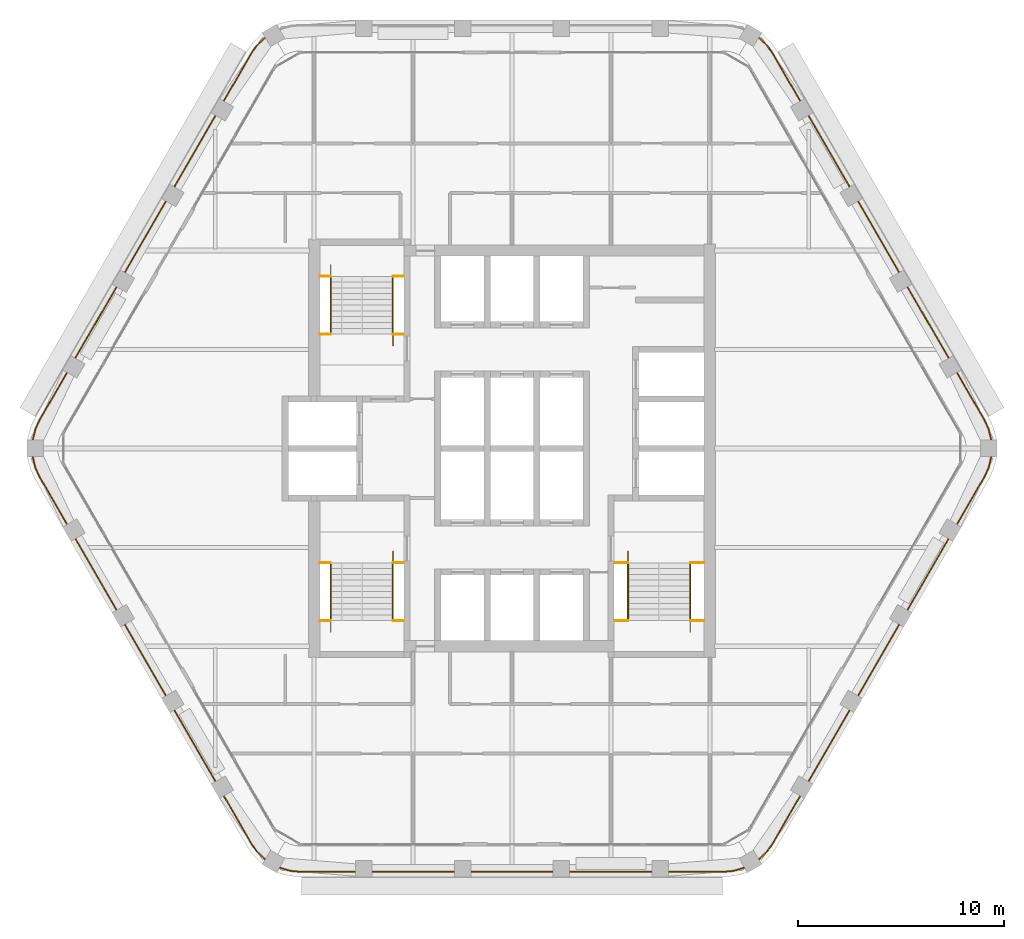
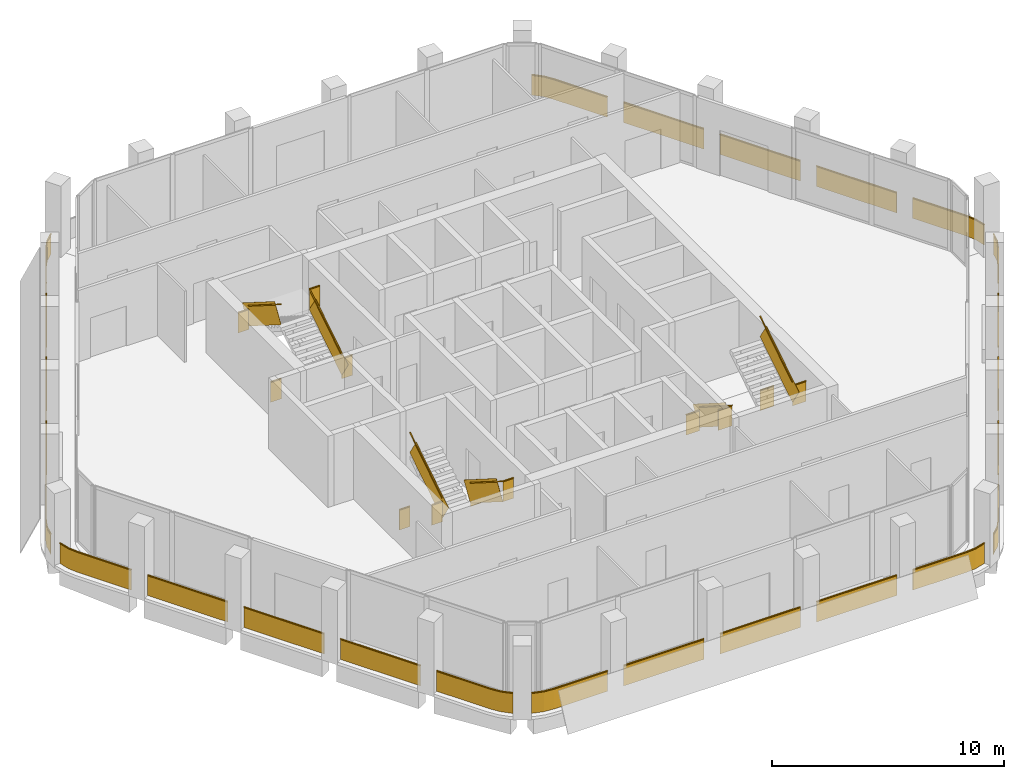
# One storey, part 13 of 14: 11 railings.
"""IFC4 building model written with IfcOpenShell, lengths in metres."""

from ifc_helpers import new_model, si_unit, direction, frame, frame_2d, origin, origin_2d, place, context, subcontext, project, spatial, rectangle, extrude, material, type_object, element, save


model = new_model("IFC4")

# Units and contexts
model_context = context("Model", 3, precision=1e-05, world=origin(), true_north=direction((0.0, 1.0)))
body_context = subcontext(model_context, "Body", "Model", "MODEL_VIEW")
ifc_project = project(units=[si_unit("LENGTHUNIT", "METRE"), si_unit("AREAUNIT", "SQUARE_METRE"), si_unit("VOLUMEUNIT", "CUBIC_METRE"), si_unit("PLANEANGLEUNIT", "RADIAN"), si_unit("MASSUNIT", "GRAM", prefix="KILO")], contexts=[model_context])

# Site, building, storey
site_placement = place(None, origin())
site = spatial("IfcSite", under=ifc_project, at=site_placement, CompositionType="ELEMENT")
building_placement = place(site_placement, origin())
building = spatial("IfcBuilding", under=site, at=building_placement, Name="Kolab Exchange Tower", CompositionType="ELEMENT")
storey_placement = place(building_placement, frame((0.0, 0.0, 242.300048828125)))
storey = spatial("IfcBuildingStorey", under=building, at=storey_placement, Name="L53", CompositionType="ELEMENT", Elevation=242.300048828125)

# Railings
ifc_material_1 = material(Name="Stainless steel 316", Category="steel")
railing_type_1 = type_object("IfcRailingType", Name="GUARD 1100", PredefinedType="GUARDRAIL", material=ifc_material_1)
railing_1_placement = place(storey_placement, frame((-9.324951171875, 5.550048828125, 0.0)))
element("IfcRailing", 1, at=railing_1_placement, inside=storey, type_object=railing_type_1, Name="Guard ST1", PredefinedType="GUARDRAIL", context=body_context, shape_type="SweptSolid", body=[
    extrude(rectangle(XDim=0.05, YDim=0.05, at=origin_2d()), frame((0.0, 0.0, 1.0751953125), z_axis=(1.0, 0.0, 0.0), x_axis=(0.0, 1.0, 0.0)), (0.0, 0.0, 1.0), 0.52734375),
    extrude(rectangle(XDim=0.012, YDim=1.05009765625, at=frame_2d((0.0, 0.525146484375))), frame((0.0, 0.0, 0.0), z_axis=(1.0, 0.0, 0.0), x_axis=(0.0, 1.0, 0.0)), (0.0, 0.0, 1.0), 0.52734375),
    extrude(rectangle(XDim=0.05, YDim=0.05, at=origin_2d()), frame((3.54736328125, 0.0, 1.0751953125), z_axis=(1.0, 0.0, 0.0), x_axis=(0.0, 1.0, 0.0)), (0.0, 0.0, 1.0), 0.527587890625),
    extrude(rectangle(XDim=0.012, YDim=1.05009765625, at=frame_2d((0.0, 0.525146484375))), frame((3.54736328125, 0.0, 0.0), z_axis=(1.0, 0.0, 0.0), x_axis=(0.0, 1.0, 0.0)), (0.0, 0.0, 1.0), 0.527587890625),
    extrude(rectangle(XDim=0.05, YDim=0.05, at=origin_2d()), frame((0.0, 2.800048828125, 3.025146484375), z_axis=(1.0, 0.0, 0.0), x_axis=(0.0, 1.0, 0.0)), (0.0, 0.0, 1.0), 0.52734375),
    extrude(rectangle(XDim=0.012, YDim=1.05009765625, at=frame_2d((0.0, 0.525146484375))), frame((0.0, 2.800048828125, 1.949951171875), z_axis=(1.0, 0.0, 0.0), x_axis=(0.0, 1.0, 0.0)), (0.0, 0.0, 1.0), 0.52734375),
    extrude(rectangle(XDim=0.05, YDim=0.05, at=origin_2d()), frame((3.54736328125, 2.800048828125, 3.025146484375), z_axis=(1.0, 0.0, 0.0), x_axis=(0.0, 1.0, 0.0)), (0.0, 0.0, 1.0), 0.527587890625),
    extrude(rectangle(XDim=0.012, YDim=1.05009765625, at=frame_2d((0.0, 0.525146484375))), frame((3.54736328125, 2.800048828125, 1.949951171875), z_axis=(1.0, 0.0, 0.0), x_axis=(0.0, 1.0, 0.0)), (0.0, 0.0, 1.0), 0.527587890625),
])
railing_2_placement = place(storey_placement, frame((-5.777587890625, 5.550048828125, 0.17724609375)))
element("IfcRailing", 2, at=railing_2_placement, inside=storey, type_object=railing_type_1, Name="Handrail guard ST1", PredefinedType="GUARDRAIL", context=body_context, shape_type="SweptSolid", body=[
    extrude(rectangle(XDim=0.05, YDim=0.05, at=origin_2d()), frame((0.0, 0.0, 1.0751953125), z_axis=(0.0, 0.844908973607, 0.534910110503), x_axis=(-1.0, 0.0, 0.0)), (0.0, 0.0, 1.0), 3.31396484375),
    extrude(rectangle(XDim=0.012, YDim=1.05009765625, at=frame_2d((0.0, 0.525146484375))), frame((0.0, 0.0, 0.0), z_axis=(0.0, 0.844908973607, 0.534910110503), x_axis=(-1.0, 0.0, 0.0)), (0.0, 0.0, 1.0), 3.31396484375),
    extrude(rectangle(XDim=0.05, YDim=0.05, at=origin_2d()), frame((-3.02001953125, 2.800048828125, 3.025146484375), z_axis=(0.0, -0.844908973607, 0.534910110503), x_axis=(1.0, 0.0, 0.0)), (0.0, 0.0, 1.0), 3.31396484375),
    extrude(rectangle(XDim=0.012, YDim=1.05009765625, at=frame_2d((0.0, 0.525146484375))), frame((-3.02001953125, 2.800048828125, 1.949951171875), z_axis=(0.0, -0.844908973607, 0.534910110503), x_axis=(1.0, 0.0, 0.0)), (0.0, 0.0, 1.0), 3.31396484375),
])
railing_3_placement = place(storey_placement, frame((-9.324951171875, -5.550048828125, 0.0)))
element("IfcRailing", 3, at=railing_3_placement, inside=storey, type_object=railing_type_1, Name="Guard ST3", PredefinedType="GUARDRAIL", context=body_context, shape_type="SweptSolid", body=[
    extrude(rectangle(XDim=0.05, YDim=0.05, at=origin_2d()), frame((0.0, 0.0, 1.0751953125), z_axis=(1.0, 0.0, 0.0), x_axis=(0.0, 1.0, 0.0)), (0.0, 0.0, 1.0), 0.52734375),
    extrude(rectangle(XDim=0.012, YDim=1.05009765625, at=frame_2d((0.0, 0.525146484375))), frame((0.0, 0.0, 0.0), z_axis=(1.0, 0.0, 0.0), x_axis=(0.0, 1.0, 0.0)), (0.0, 0.0, 1.0), 0.52734375),
    extrude(rectangle(XDim=0.05, YDim=0.05, at=origin_2d()), frame((3.54736328125, 0.0, 1.0751953125), z_axis=(1.0, 0.0, 0.0), x_axis=(0.0, 1.0, 0.0)), (0.0, 0.0, 1.0), 0.527587890625),
    extrude(rectangle(XDim=0.012, YDim=1.05009765625, at=frame_2d((0.0, 0.525146484375))), frame((3.54736328125, 0.0, 0.0), z_axis=(1.0, 0.0, 0.0), x_axis=(0.0, 1.0, 0.0)), (0.0, 0.0, 1.0), 0.527587890625),
    extrude(rectangle(XDim=0.05, YDim=0.05, at=origin_2d()), frame((0.0, -2.800048828125, 3.025146484375), z_axis=(1.0, 0.0, 0.0), x_axis=(0.0, 1.0, 0.0)), (0.0, 0.0, 1.0), 0.52734375),
    extrude(rectangle(XDim=0.012, YDim=1.05009765625, at=frame_2d((0.0, 0.525146484375))), frame((0.0, -2.800048828125, 1.949951171875), z_axis=(1.0, 0.0, 0.0), x_axis=(0.0, 1.0, 0.0)), (0.0, 0.0, 1.0), 0.52734375),
    extrude(rectangle(XDim=0.05, YDim=0.05, at=origin_2d()), frame((3.54736328125, -2.800048828125, 3.025146484375), z_axis=(1.0, 0.0, 0.0), x_axis=(0.0, 1.0, 0.0)), (0.0, 0.0, 1.0), 0.527587890625),
    extrude(rectangle(XDim=0.012, YDim=1.05009765625, at=frame_2d((0.0, 0.525146484375))), frame((3.54736328125, -2.800048828125, 1.949951171875), z_axis=(1.0, 0.0, 0.0), x_axis=(0.0, 1.0, 0.0)), (0.0, 0.0, 1.0), 0.527587890625),
])
railing_4_placement = place(storey_placement, frame((-5.777587890625, -5.550048828125, 0.17724609375)))
element("IfcRailing", 4, at=railing_4_placement, inside=storey, type_object=railing_type_1, Name="Handrail guard ST3", PredefinedType="GUARDRAIL", context=body_context, shape_type="SweptSolid", body=[
    extrude(rectangle(XDim=0.05, YDim=0.05, at=origin_2d()), frame((0.0, 0.0, 1.0751953125), z_axis=(0.0, -0.844908973607, 0.534910110503), x_axis=(1.0, 0.0, 0.0)), (0.0, 0.0, 1.0), 3.31396484375),
    extrude(rectangle(XDim=0.012, YDim=1.05009765625, at=frame_2d((0.0, 0.525146484375))), frame((0.0, 0.0, 0.0), z_axis=(0.0, -0.844908973607, 0.534910110503), x_axis=(1.0, 0.0, 0.0)), (0.0, 0.0, 1.0), 3.31396484375),
    extrude(rectangle(XDim=0.05, YDim=0.05, at=origin_2d()), frame((-3.02001953125, -2.800048828125, 3.025146484375), z_axis=(0.0, 0.844908973607, 0.534910110503), x_axis=(-1.0, 0.0, 0.0)), (0.0, 0.0, 1.0), 3.31396484375),
    extrude(rectangle(XDim=0.012, YDim=1.05009765625, at=frame_2d((0.0, 0.525146484375))), frame((-3.02001953125, -2.800048828125, 1.949951171875), z_axis=(0.0, 0.844908973607, 0.534910110503), x_axis=(-1.0, 0.0, 0.0)), (0.0, 0.0, 1.0), 3.31396484375),
])
railing_5_placement = place(storey_placement, frame((4.949951171875, -5.550048828125, 0.0)))
element("IfcRailing", 5, at=railing_5_placement, inside=storey, type_object=railing_type_1, Name="Guard ST2", PredefinedType="GUARDRAIL", context=body_context, shape_type="SweptSolid", body=[
    extrude(rectangle(XDim=0.05, YDim=0.05, at=origin_2d()), frame((0.0, 0.0, 1.0751953125), z_axis=(1.0, 0.0, 0.0), x_axis=(0.0, 1.0, 0.0)), (0.0, 0.0, 1.0), 0.677490234375),
    extrude(rectangle(XDim=0.012, YDim=1.05009765625, at=frame_2d((0.0, 0.525146484375))), frame((0.0, 0.0, 0.0), z_axis=(1.0, 0.0, 0.0), x_axis=(0.0, 1.0, 0.0)), (0.0, 0.0, 1.0), 0.677490234375),
    extrude(rectangle(XDim=0.05, YDim=0.05, at=origin_2d()), frame((3.697509765625, 0.0, 1.0751953125), z_axis=(1.0, 0.0, 0.0), x_axis=(0.0, 1.0, 0.0)), (0.0, 0.0, 1.0), 0.677490234375),
    extrude(rectangle(XDim=0.012, YDim=1.05009765625, at=frame_2d((0.0, 0.525146484375))), frame((3.697509765625, 0.0, 0.0), z_axis=(1.0, 0.0, 0.0), x_axis=(0.0, 1.0, 0.0)), (0.0, 0.0, 1.0), 0.677490234375),
    extrude(rectangle(XDim=0.05, YDim=0.05, at=origin_2d()), frame((0.0, -2.800048828125, 3.025146484375), z_axis=(1.0, 0.0, 0.0), x_axis=(0.0, 1.0, 0.0)), (0.0, 0.0, 1.0), 0.677490234375),
    extrude(rectangle(XDim=0.012, YDim=1.05009765625, at=frame_2d((0.0, 0.525146484375))), frame((0.0, -2.800048828125, 1.949951171875), z_axis=(1.0, 0.0, 0.0), x_axis=(0.0, 1.0, 0.0)), (0.0, 0.0, 1.0), 0.677490234375),
    extrude(rectangle(XDim=0.05, YDim=0.05, at=origin_2d()), frame((3.697509765625, -2.800048828125, 3.025146484375), z_axis=(1.0, 0.0, 0.0), x_axis=(0.0, 1.0, 0.0)), (0.0, 0.0, 1.0), 0.677490234375),
    extrude(rectangle(XDim=0.012, YDim=1.05009765625, at=frame_2d((0.0, 0.525146484375))), frame((3.697509765625, -2.800048828125, 1.949951171875), z_axis=(1.0, 0.0, 0.0), x_axis=(0.0, 1.0, 0.0)), (0.0, 0.0, 1.0), 0.677490234375),
])
railing_6_placement = place(storey_placement, frame((5.62744140625, -5.550048828125, 0.17724609375)))
element("IfcRailing", 6, at=railing_6_placement, inside=storey, type_object=railing_type_1, Name="Handrail guard ST2", PredefinedType="GUARDRAIL", context=body_context, shape_type="SweptSolid", body=[
    extrude(rectangle(XDim=0.05, YDim=0.05, at=origin_2d()), frame((0.0, 0.0, 1.0751953125), z_axis=(0.0, -0.844908973607, 0.534910110503), x_axis=(1.0, 0.0, 0.0)), (0.0, 0.0, 1.0), 3.31396484375),
    extrude(rectangle(XDim=0.012, YDim=1.05009765625, at=frame_2d((0.0, 0.525146484375))), frame((0.0, 0.0, 0.0), z_axis=(0.0, -0.844908973607, 0.534910110503), x_axis=(1.0, 0.0, 0.0)), (0.0, 0.0, 1.0), 3.31396484375),
    extrude(rectangle(XDim=0.05, YDim=0.05, at=origin_2d()), frame((3.02001953125, -2.800048828125, 3.025146484375), z_axis=(0.0, 0.844908973607, 0.534910110503), x_axis=(-1.0, 0.0, 0.0)), (0.0, 0.0, 1.0), 3.31396484375),
    extrude(rectangle(XDim=0.012, YDim=1.05009765625, at=frame_2d((0.0, 0.525146484375))), frame((3.02001953125, -2.800048828125, 1.949951171875), z_axis=(0.0, 0.844908973607, 0.534910110503), x_axis=(-1.0, 0.0, 0.0)), (0.0, 0.0, 1.0), 3.31396484375),
])
ifc_material_2 = material(Name="Steel S235", Category="steel")
railing_type_2 = type_object("IfcRailingType", Name="GUARD 1100 GLASS BALUSTRADE AND STEEL TOP RAIL", PredefinedType="GUARDRAIL", material=ifc_material_2)
railing_7_placement = place(storey_placement, frame((23.2509765625, 0.3984375, 0.0)))
element("IfcRailing", 7, at=railing_7_placement, inside=storey, type_object=railing_type_2, Name="Guard", PredefinedType="GUARDRAIL", context=body_context, shape_type="SweptSolid", body=[
    extrude(rectangle(XDim=0.05, YDim=0.05, at=origin_2d()), frame((0.0, 0.0, 1.0751953125), z_axis=(-0.234597748196, 0.972092534968, 0.0), x_axis=(-0.972092534968, -0.234597748196, 0.0)), (0.0, 0.0, 1.0), 0.557861328125),
    extrude(rectangle(XDim=0.012, YDim=1.05009765625, at=frame_2d((0.0, 0.525146484375))), frame((0.0, 0.0, 0.0), z_axis=(-0.234597748196, 0.972092534968, 0.0), x_axis=(-0.972092534968, -0.234597748196, 0.0)), (0.0, 0.0, 1.0), 0.557861328125),
    extrude(rectangle(XDim=0.05, YDim=0.05, at=origin_2d()), frame((-0.130859375, 0.542236328125, 1.0751953125), z_axis=(-0.422801802984, 0.906222177721, 0.0), x_axis=(-0.906222177721, -0.422801802984, 0.0)), (0.0, 0.0, 1.0), 0.479248046875),
    extrude(rectangle(XDim=0.012, YDim=1.05009765625, at=frame_2d((0.0, 0.525146484375))), frame((-0.130859375, 0.542236328125, 0.0), z_axis=(-0.422801802984, 0.906222177721, 0.0), x_axis=(-0.906222177721, -0.422801802984, 0.0)), (0.0, 0.0, 1.0), 0.479248046875),
    extrude(rectangle(XDim=0.05, YDim=0.05, at=origin_2d()), frame((-0.33349609375, 0.9765625, 1.0751953125), z_axis=(-0.499997052475, 0.866027105532, 0.0), x_axis=(-0.866027105532, -0.499997052475, 0.0)), (0.0, 0.0, 1.0), 2.66796875),
    extrude(rectangle(XDim=0.012, YDim=1.05009765625, at=frame_2d((0.0, 0.525146484375))), frame((-0.33349609375, 0.9765625, 0.0), z_axis=(-0.499997052475, 0.866027105532, 0.0), x_axis=(-0.866027105532, -0.499997052475, 0.0)), (0.0, 0.0, 1.0), 2.66796875),
    extrude(rectangle(XDim=0.05, YDim=0.05, at=origin_2d()), frame((-2.0673828125, 3.97998046875, 1.0751953125), z_axis=(-0.49999894854, 0.866026010844, 0.0), x_axis=(-0.866026010844, -0.49999894854, 0.0)), (0.0, 0.0, 1.0), 4.0),
    extrude(rectangle(XDim=0.012, YDim=1.05009765625, at=frame_2d((0.0, 0.525146484375))), frame((-2.0673828125, 3.97998046875, 0.0), z_axis=(-0.49999894854, 0.866026010844, 0.0), x_axis=(-0.866026010844, -0.49999894854, 0.0)), (0.0, 0.0, 1.0), 4.0),
    extrude(rectangle(XDim=0.05, YDim=0.05, at=origin_2d()), frame((-4.467529296875, 8.13671875, 1.0751953125), z_axis=(-0.49999894854, 0.866026010844, 0.0), x_axis=(-0.866026010844, -0.49999894854, 0.0)), (0.0, 0.0, 1.0), 4.0),
    extrude(rectangle(XDim=0.012, YDim=1.05009765625, at=frame_2d((0.0, 0.525146484375))), frame((-4.467529296875, 8.13671875, 0.0), z_axis=(-0.49999894854, 0.866026010844, 0.0), x_axis=(-0.866026010844, -0.49999894854, 0.0)), (0.0, 0.0, 1.0), 4.0),
    extrude(rectangle(XDim=0.05, YDim=0.05, at=origin_2d()), frame((-6.867431640625, 12.293701171875, 1.0751953125), z_axis=(-0.49999894854, 0.866026010844, 0.0), x_axis=(-0.866026010844, -0.49999894854, 0.0)), (0.0, 0.0, 1.0), 4.0),
    extrude(rectangle(XDim=0.012, YDim=1.05009765625, at=frame_2d((0.0, 0.525146484375))), frame((-6.867431640625, 12.293701171875, 0.0), z_axis=(-0.49999894854, 0.866026010844, 0.0), x_axis=(-0.866026010844, -0.49999894854, 0.0)), (0.0, 0.0, 1.0), 4.0),
    extrude(rectangle(XDim=0.05, YDim=0.05, at=origin_2d()), frame((-9.267578125, 16.45068359375, 1.0751953125), z_axis=(-0.499997052475, 0.866027105532, 0.0), x_axis=(-0.866027105532, -0.499997052475, 0.0)), (0.0, 0.0, 1.0), 2.66796875),
    extrude(rectangle(XDim=0.012, YDim=1.05009765625, at=frame_2d((0.0, 0.525146484375))), frame((-9.267578125, 16.45068359375, 0.0), z_axis=(-0.499997052475, 0.866027105532, 0.0), x_axis=(-0.866027105532, -0.499997052475, 0.0)), (0.0, 0.0, 1.0), 2.66796875),
    extrude(rectangle(XDim=0.05, YDim=0.05, at=origin_2d()), frame((-10.6015625, 18.76123046875, 1.0751953125), z_axis=(-0.573599091554, 0.819136180478, 0.0), x_axis=(-0.819136180478, -0.573599091554, 0.0)), (0.0, 0.0, 1.0), 0.479248046875),
    extrude(rectangle(XDim=0.012, YDim=1.05009765625, at=frame_2d((0.0, 0.525146484375))), frame((-10.6015625, 18.76123046875, 0.0), z_axis=(-0.573599091554, 0.819136180478, 0.0), x_axis=(-0.819136180478, -0.573599091554, 0.0)), (0.0, 0.0, 1.0), 0.479248046875),
    extrude(rectangle(XDim=0.05, YDim=0.05, at=origin_2d()), frame((-10.87646484375, 19.15380859375, 1.0751953125), z_axis=(-0.724189990991, 0.689600505327, 0.0), x_axis=(-0.689600505327, -0.724189990991, 0.0)), (0.0, 0.0, 1.0), 0.5576171875),
    extrude(rectangle(XDim=0.012, YDim=1.05009765625, at=frame_2d((0.0, 0.525146484375))), frame((-10.87646484375, 19.15380859375, 0.0), z_axis=(-0.724189990991, 0.689600505327, 0.0), x_axis=(-0.689600505327, -0.724189990991, 0.0)), (0.0, 0.0, 1.0), 0.5576171875),
])
railing_8_placement = place(storey_placement, frame((11.970703125, -19.936767578125, 0.0)))
element("IfcRailing", 8, at=railing_8_placement, inside=storey, type_object=railing_type_2, Name="Guard", PredefinedType="GUARDRAIL", context=body_context, shape_type="SweptSolid", body=[
    extrude(rectangle(XDim=0.05, YDim=0.05, at=origin_2d()), frame((0.0, 0.0, 1.0751953125), z_axis=(0.724189990991, 0.689600505327, 0.0), x_axis=(-0.689600505327, 0.724189990991, 0.0)), (0.0, 0.0, 1.0), 0.5576171875),
    extrude(rectangle(XDim=0.012, YDim=1.05009765625, at=frame_2d((0.0, 0.525146484375))), frame((0.0, 0.0, 0.0), z_axis=(0.724189990991, 0.689600505327, 0.0), x_axis=(-0.689600505327, 0.724189990991, 0.0)), (0.0, 0.0, 1.0), 0.5576171875),
    extrude(rectangle(XDim=0.05, YDim=0.05, at=origin_2d()), frame((0.40380859375, 0.384521484375, 1.0751953125), z_axis=(0.573599091554, 0.819136180478, 0.0), x_axis=(-0.819136180478, 0.573599091554, 0.0)), (0.0, 0.0, 1.0), 0.479248046875),
    extrude(rectangle(XDim=0.012, YDim=1.05009765625, at=frame_2d((0.0, 0.525146484375))), frame((0.40380859375, 0.384521484375, 0.0), z_axis=(0.573599091554, 0.819136180478, 0.0), x_axis=(-0.819136180478, 0.573599091554, 0.0)), (0.0, 0.0, 1.0), 0.479248046875),
    extrude(rectangle(XDim=0.05, YDim=0.05, at=origin_2d()), frame((0.6787109375, 0.777099609375, 1.0751953125), z_axis=(0.499997052475, 0.866027105532, 0.0), x_axis=(-0.866027105532, 0.499997052475, 0.0)), (0.0, 0.0, 1.0), 2.66796875),
    extrude(rectangle(XDim=0.012, YDim=1.05009765625, at=frame_2d((0.0, 0.525146484375))), frame((0.6787109375, 0.777099609375, 0.0), z_axis=(0.499997052475, 0.866027105532, 0.0), x_axis=(-0.866027105532, 0.499997052475, 0.0)), (0.0, 0.0, 1.0), 2.66796875),
    extrude(rectangle(XDim=0.05, YDim=0.05, at=origin_2d()), frame((2.412841796875, 3.780517578125, 1.0751953125), z_axis=(0.49999894854, 0.866026010844, 0.0), x_axis=(-0.866026010844, 0.49999894854, 0.0)), (0.0, 0.0, 1.0), 4.0),
    extrude(rectangle(XDim=0.012, YDim=1.05009765625, at=frame_2d((0.0, 0.525146484375))), frame((2.412841796875, 3.780517578125, 0.0), z_axis=(0.49999894854, 0.866026010844, 0.0), x_axis=(-0.866026010844, 0.49999894854, 0.0)), (0.0, 0.0, 1.0), 4.0),
    extrude(rectangle(XDim=0.05, YDim=0.05, at=origin_2d()), frame((4.812744140625, 7.9375, 1.0751953125), z_axis=(0.49999894854, 0.866026010844, 0.0), x_axis=(-0.866026010844, 0.49999894854, 0.0)), (0.0, 0.0, 1.0), 4.0),
    extrude(rectangle(XDim=0.012, YDim=1.05009765625, at=frame_2d((0.0, 0.525146484375))), frame((4.812744140625, 7.9375, 0.0), z_axis=(0.49999894854, 0.866026010844, 0.0), x_axis=(-0.866026010844, 0.49999894854, 0.0)), (0.0, 0.0, 1.0), 4.0),
    extrude(rectangle(XDim=0.05, YDim=0.05, at=origin_2d()), frame((7.212890625, 12.09423828125, 1.0751953125), z_axis=(0.49999894854, 0.866026010844, 0.0), x_axis=(-0.866026010844, 0.49999894854, 0.0)), (0.0, 0.0, 1.0), 4.0),
    extrude(rectangle(XDim=0.012, YDim=1.05009765625, at=frame_2d((0.0, 0.525146484375))), frame((7.212890625, 12.09423828125, 0.0), z_axis=(0.49999894854, 0.866026010844, 0.0), x_axis=(-0.866026010844, 0.49999894854, 0.0)), (0.0, 0.0, 1.0), 4.0),
    extrude(rectangle(XDim=0.05, YDim=0.05, at=origin_2d()), frame((9.61279296875, 16.251220703125, 1.0751953125), z_axis=(0.499997052475, 0.866027105532, 0.0), x_axis=(-0.866027105532, 0.499997052475, 0.0)), (0.0, 0.0, 1.0), 2.66796875),
    extrude(rectangle(XDim=0.012, YDim=1.05009765625, at=frame_2d((0.0, 0.525146484375))), frame((9.61279296875, 16.251220703125, 0.0), z_axis=(0.499997052475, 0.866027105532, 0.0), x_axis=(-0.866027105532, 0.499997052475, 0.0)), (0.0, 0.0, 1.0), 2.66796875),
    extrude(rectangle(XDim=0.05, YDim=0.05, at=origin_2d()), frame((10.94677734375, 18.561767578125, 1.0751953125), z_axis=(0.422801802984, 0.906222177721, 0.0), x_axis=(-0.906222177721, 0.422801802984, 0.0)), (0.0, 0.0, 1.0), 0.479248046875),
    extrude(rectangle(XDim=0.012, YDim=1.05009765625, at=frame_2d((0.0, 0.525146484375))), frame((10.94677734375, 18.561767578125, 0.0), z_axis=(0.422801802984, 0.906222177721, 0.0), x_axis=(-0.906222177721, 0.422801802984, 0.0)), (0.0, 0.0, 1.0), 0.479248046875),
    extrude(rectangle(XDim=0.05, YDim=0.05, at=origin_2d()), frame((11.1494140625, 18.99609375, 1.0751953125), z_axis=(0.234597748196, 0.972092534968, 0.0), x_axis=(-0.972092534968, 0.234597748196, 0.0)), (0.0, 0.0, 1.0), 0.557861328125),
    extrude(rectangle(XDim=0.012, YDim=1.05009765625, at=frame_2d((0.0, 0.525146484375))), frame((11.1494140625, 18.99609375, 0.0), z_axis=(0.234597748196, 0.972092534968, 0.0), x_axis=(-0.972092534968, 0.234597748196, 0.0)), (0.0, 0.0, 1.0), 0.557861328125),
])
railing_9_placement = place(storey_placement, frame((-11.280517578125, -20.335205078125, 0.0)))
element("IfcRailing", 9, at=railing_9_placement, inside=storey, type_object=railing_type_2, Name="Guard", PredefinedType="GUARDRAIL", context=body_context, shape_type="SweptSolid", body=[
    extrude(rectangle(XDim=0.05, YDim=0.05, at=origin_2d()), frame((0.0, 0.0, 1.0751953125), z_axis=(0.959212061764, -0.282687496304, 0.0), x_axis=(0.282687496304, 0.959212061764, 0.0)), (0.0, 0.0, 1.0), 0.557861328125),
    extrude(rectangle(XDim=0.012, YDim=1.05009765625, at=frame_2d((0.0, 0.525146484375))), frame((0.0, 0.0, 0.0), z_axis=(0.959212061764, -0.282687496304, 0.0), x_axis=(0.282687496304, 0.959212061764, 0.0)), (0.0, 0.0, 1.0), 0.557861328125),
    extrude(rectangle(XDim=0.05, YDim=0.05, at=origin_2d()), frame((0.53515625, -0.15771484375, 1.0751953125), z_axis=(0.996196482496, -0.087135344505, 0.0), x_axis=(0.087135344505, 0.996196482496, 0.0)), (0.0, 0.0, 1.0), 0.47900390625),
    extrude(rectangle(XDim=0.012, YDim=1.05009765625, at=frame_2d((0.0, 0.525146484375))), frame((0.53515625, -0.15771484375, 0.0), z_axis=(0.996196482496, -0.087135344505, 0.0), x_axis=(0.087135344505, 0.996196482496, 0.0)), (0.0, 0.0, 1.0), 0.47900390625),
    extrude(rectangle(XDim=0.05, YDim=0.05, at=origin_2d()), frame((1.012451171875, -0.199462890625, 1.0751953125), z_axis=(1.0, 0.0, 0.0), x_axis=(0.0, 1.0, 0.0)), (0.0, 0.0, 1.0), 2.66796875),
    extrude(rectangle(XDim=0.012, YDim=1.05009765625, at=frame_2d((0.0, 0.525146484375))), frame((1.012451171875, -0.199462890625, 0.0), z_axis=(1.0, 0.0, 0.0), x_axis=(0.0, 1.0, 0.0)), (0.0, 0.0, 1.0), 2.66796875),
    extrude(rectangle(XDim=0.05, YDim=0.05, at=origin_2d()), frame((4.48046875, -0.199462890625, 1.0751953125), z_axis=(1.0, 0.0, 0.0), x_axis=(0.0, 1.0, 0.0)), (0.0, 0.0, 1.0), 4.0),
    extrude(rectangle(XDim=0.012, YDim=1.05009765625, at=frame_2d((0.0, 0.525146484375))), frame((4.48046875, -0.199462890625, 0.0), z_axis=(1.0, 0.0, 0.0), x_axis=(0.0, 1.0, 0.0)), (0.0, 0.0, 1.0), 4.0),
    extrude(rectangle(XDim=0.05, YDim=0.05, at=origin_2d()), frame((9.280517578125, -0.199462890625, 1.0751953125), z_axis=(1.0, 0.0, 0.0), x_axis=(0.0, 1.0, 0.0)), (0.0, 0.0, 1.0), 4.0),
    extrude(rectangle(XDim=0.012, YDim=1.05009765625, at=frame_2d((0.0, 0.525146484375))), frame((9.280517578125, -0.199462890625, 0.0), z_axis=(1.0, 0.0, 0.0), x_axis=(0.0, 1.0, 0.0)), (0.0, 0.0, 1.0), 4.0),
    extrude(rectangle(XDim=0.05, YDim=0.05, at=origin_2d()), frame((14.08056640625, -0.199462890625, 1.0751953125), z_axis=(1.0, 0.0, 0.0), x_axis=(0.0, 1.0, 0.0)), (0.0, 0.0, 1.0), 4.0),
    extrude(rectangle(XDim=0.012, YDim=1.05009765625, at=frame_2d((0.0, 0.525146484375))), frame((14.08056640625, -0.199462890625, 0.0), z_axis=(1.0, 0.0, 0.0), x_axis=(0.0, 1.0, 0.0)), (0.0, 0.0, 1.0), 4.0),
    extrude(rectangle(XDim=0.05, YDim=0.05, at=origin_2d()), frame((18.880615234375, -0.199462890625, 1.0751953125), z_axis=(1.0, 0.0, 0.0), x_axis=(0.0, 1.0, 0.0)), (0.0, 0.0, 1.0), 2.66796875),
    extrude(rectangle(XDim=0.012, YDim=1.05009765625, at=frame_2d((0.0, 0.525146484375))), frame((18.880615234375, -0.199462890625, 0.0), z_axis=(1.0, 0.0, 0.0), x_axis=(0.0, 1.0, 0.0)), (0.0, 0.0, 1.0), 2.66796875),
    extrude(rectangle(XDim=0.05, YDim=0.05, at=origin_2d()), frame((21.548583984375, -0.199462890625, 1.0751953125), z_axis=(0.996196482496, 0.087135344505, 0.0), x_axis=(-0.087135344505, 0.996196482496, 0.0)), (0.0, 0.0, 1.0), 0.47900390625),
    extrude(rectangle(XDim=0.012, YDim=1.05009765625, at=frame_2d((0.0, 0.525146484375))), frame((21.548583984375, -0.199462890625, 0.0), z_axis=(0.996196482496, 0.087135344505, 0.0), x_axis=(-0.087135344505, 0.996196482496, 0.0)), (0.0, 0.0, 1.0), 0.47900390625),
    extrude(rectangle(XDim=0.05, YDim=0.05, at=origin_2d()), frame((22.02587890625, -0.15771484375, 1.0751953125), z_axis=(0.959212061764, 0.282687496304, 0.0), x_axis=(-0.282687496304, 0.959212061764, 0.0)), (0.0, 0.0, 1.0), 0.557861328125),
    extrude(rectangle(XDim=0.012, YDim=1.05009765625, at=frame_2d((0.0, 0.525146484375))), frame((22.02587890625, -0.15771484375, 0.0), z_axis=(0.959212061764, 0.282687496304, 0.0), x_axis=(-0.282687496304, 0.959212061764, 0.0)), (0.0, 0.0, 1.0), 0.557861328125),
])
railing_10_placement = place(storey_placement, frame((-23.2509765625, -0.3984375, 0.0)))
element("IfcRailing", 10, at=railing_10_placement, inside=storey, type_object=railing_type_2, Name="Guard", PredefinedType="GUARDRAIL", context=body_context, shape_type="SweptSolid", body=[
    extrude(rectangle(XDim=0.05, YDim=0.05, at=origin_2d()), frame((0.0, 0.0, 1.0751953125), z_axis=(0.234597748196, -0.972092534968, 0.0), x_axis=(0.972092534968, 0.234597748196, 0.0)), (0.0, 0.0, 1.0), 0.557861328125),
    extrude(rectangle(XDim=0.012, YDim=1.05009765625, at=frame_2d((0.0, 0.525146484375))), frame((0.0, 0.0, 0.0), z_axis=(0.234597748196, -0.972092534968, 0.0), x_axis=(0.972092534968, 0.234597748196, 0.0)), (0.0, 0.0, 1.0), 0.557861328125),
    extrude(rectangle(XDim=0.05, YDim=0.05, at=origin_2d()), frame((0.130859375, -0.542236328125, 1.0751953125), z_axis=(0.422801802984, -0.906222177721, 0.0), x_axis=(0.906222177721, 0.422801802984, 0.0)), (0.0, 0.0, 1.0), 0.479248046875),
    extrude(rectangle(XDim=0.012, YDim=1.05009765625, at=frame_2d((0.0, 0.525146484375))), frame((0.130859375, -0.542236328125, 0.0), z_axis=(0.422801802984, -0.906222177721, 0.0), x_axis=(0.906222177721, 0.422801802984, 0.0)), (0.0, 0.0, 1.0), 0.479248046875),
    extrude(rectangle(XDim=0.05, YDim=0.05, at=origin_2d()), frame((0.33349609375, -0.9765625, 1.0751953125), z_axis=(0.499997052475, -0.866027105532, 0.0), x_axis=(0.866027105532, 0.499997052475, 0.0)), (0.0, 0.0, 1.0), 2.66796875),
    extrude(rectangle(XDim=0.012, YDim=1.05009765625, at=frame_2d((0.0, 0.525146484375))), frame((0.33349609375, -0.9765625, 0.0), z_axis=(0.499997052475, -0.866027105532, 0.0), x_axis=(0.866027105532, 0.499997052475, 0.0)), (0.0, 0.0, 1.0), 2.66796875),
    extrude(rectangle(XDim=0.05, YDim=0.05, at=origin_2d()), frame((2.0673828125, -3.97998046875, 1.0751953125), z_axis=(0.49999894854, -0.866026010844, 0.0), x_axis=(0.866026010844, 0.49999894854, 0.0)), (0.0, 0.0, 1.0), 4.0),
    extrude(rectangle(XDim=0.012, YDim=1.05009765625, at=frame_2d((0.0, 0.525146484375))), frame((2.0673828125, -3.97998046875, 0.0), z_axis=(0.49999894854, -0.866026010844, 0.0), x_axis=(0.866026010844, 0.49999894854, 0.0)), (0.0, 0.0, 1.0), 4.0),
    extrude(rectangle(XDim=0.05, YDim=0.05, at=origin_2d()), frame((4.467529296875, -8.13671875, 1.0751953125), z_axis=(0.49999894854, -0.866026010844, 0.0), x_axis=(0.866026010844, 0.49999894854, 0.0)), (0.0, 0.0, 1.0), 4.0),
    extrude(rectangle(XDim=0.012, YDim=1.05009765625, at=frame_2d((0.0, 0.525146484375))), frame((4.467529296875, -8.13671875, 0.0), z_axis=(0.49999894854, -0.866026010844, 0.0), x_axis=(0.866026010844, 0.49999894854, 0.0)), (0.0, 0.0, 1.0), 4.0),
    extrude(rectangle(XDim=0.05, YDim=0.05, at=origin_2d()), frame((6.867431640625, -12.293701171875, 1.0751953125), z_axis=(0.49999894854, -0.866026010844, 0.0), x_axis=(0.866026010844, 0.49999894854, 0.0)), (0.0, 0.0, 1.0), 4.0),
    extrude(rectangle(XDim=0.012, YDim=1.05009765625, at=frame_2d((0.0, 0.525146484375))), frame((6.867431640625, -12.293701171875, 0.0), z_axis=(0.49999894854, -0.866026010844, 0.0), x_axis=(0.866026010844, 0.49999894854, 0.0)), (0.0, 0.0, 1.0), 4.0),
    extrude(rectangle(XDim=0.05, YDim=0.05, at=origin_2d()), frame((9.267578125, -16.45068359375, 1.0751953125), z_axis=(0.499997052475, -0.866027105532, 0.0), x_axis=(0.866027105532, 0.499997052475, 0.0)), (0.0, 0.0, 1.0), 2.66796875),
    extrude(rectangle(XDim=0.012, YDim=1.05009765625, at=frame_2d((0.0, 0.525146484375))), frame((9.267578125, -16.45068359375, 0.0), z_axis=(0.499997052475, -0.866027105532, 0.0), x_axis=(0.866027105532, 0.499997052475, 0.0)), (0.0, 0.0, 1.0), 2.66796875),
    extrude(rectangle(XDim=0.05, YDim=0.05, at=origin_2d()), frame((10.6015625, -18.76123046875, 1.0751953125), z_axis=(0.573599091554, -0.819136180478, 0.0), x_axis=(0.819136180478, 0.573599091554, 0.0)), (0.0, 0.0, 1.0), 0.479248046875),
    extrude(rectangle(XDim=0.012, YDim=1.05009765625, at=frame_2d((0.0, 0.525146484375))), frame((10.6015625, -18.76123046875, 0.0), z_axis=(0.573599091554, -0.819136180478, 0.0), x_axis=(0.819136180478, 0.573599091554, 0.0)), (0.0, 0.0, 1.0), 0.479248046875),
    extrude(rectangle(XDim=0.05, YDim=0.05, at=origin_2d()), frame((10.87646484375, -19.15380859375, 1.0751953125), z_axis=(0.724189990991, -0.689600505327, 0.0), x_axis=(0.689600505327, 0.724189990991, 0.0)), (0.0, 0.0, 1.0), 0.5576171875),
    extrude(rectangle(XDim=0.012, YDim=1.05009765625, at=frame_2d((0.0, 0.525146484375))), frame((10.87646484375, -19.15380859375, 0.0), z_axis=(0.724189990991, -0.689600505327, 0.0), x_axis=(0.689600505327, 0.724189990991, 0.0)), (0.0, 0.0, 1.0), 0.5576171875),
])
railing_11_placement = place(storey_placement, frame((-11.970703125, 19.936767578125, 0.0)))
element("IfcRailing", 11, at=railing_11_placement, inside=storey, type_object=railing_type_2, Name="Guard", PredefinedType="GUARDRAIL", context=body_context, shape_type="SweptSolid", body=[
    extrude(rectangle(XDim=0.05, YDim=0.05, at=origin_2d()), frame((0.0, 0.0, 1.0751953125), z_axis=(-0.724189990991, -0.689600505327, 0.0), x_axis=(0.689600505327, -0.724189990991, 0.0)), (0.0, 0.0, 1.0), 0.5576171875),
    extrude(rectangle(XDim=0.012, YDim=1.05009765625, at=frame_2d((0.0, 0.525146484375))), frame((0.0, 0.0, 0.0), z_axis=(-0.724189990991, -0.689600505327, 0.0), x_axis=(0.689600505327, -0.724189990991, 0.0)), (0.0, 0.0, 1.0), 0.5576171875),
    extrude(rectangle(XDim=0.05, YDim=0.05, at=origin_2d()), frame((-0.40380859375, -0.384521484375, 1.0751953125), z_axis=(-0.573599091554, -0.819136180478, 0.0), x_axis=(0.819136180478, -0.573599091554, 0.0)), (0.0, 0.0, 1.0), 0.479248046875),
    extrude(rectangle(XDim=0.012, YDim=1.05009765625, at=frame_2d((0.0, 0.525146484375))), frame((-0.40380859375, -0.384521484375, 0.0), z_axis=(-0.573599091554, -0.819136180478, 0.0), x_axis=(0.819136180478, -0.573599091554, 0.0)), (0.0, 0.0, 1.0), 0.479248046875),
    extrude(rectangle(XDim=0.05, YDim=0.05, at=origin_2d()), frame((-0.6787109375, -0.777099609375, 1.0751953125), z_axis=(-0.499997052475, -0.866027105532, 0.0), x_axis=(0.866027105532, -0.499997052475, 0.0)), (0.0, 0.0, 1.0), 2.66796875),
    extrude(rectangle(XDim=0.012, YDim=1.05009765625, at=frame_2d((0.0, 0.525146484375))), frame((-0.6787109375, -0.777099609375, 0.0), z_axis=(-0.499997052475, -0.866027105532, 0.0), x_axis=(0.866027105532, -0.499997052475, 0.0)), (0.0, 0.0, 1.0), 2.66796875),
    extrude(rectangle(XDim=0.05, YDim=0.05, at=origin_2d()), frame((-2.412841796875, -3.780517578125, 1.0751953125), z_axis=(-0.49999894854, -0.866026010844, 0.0), x_axis=(0.866026010844, -0.49999894854, 0.0)), (0.0, 0.0, 1.0), 4.0),
    extrude(rectangle(XDim=0.012, YDim=1.05009765625, at=frame_2d((0.0, 0.525146484375))), frame((-2.412841796875, -3.780517578125, 0.0), z_axis=(-0.49999894854, -0.866026010844, 0.0), x_axis=(0.866026010844, -0.49999894854, 0.0)), (0.0, 0.0, 1.0), 4.0),
    extrude(rectangle(XDim=0.05, YDim=0.05, at=origin_2d()), frame((-4.812744140625, -7.9375, 1.0751953125), z_axis=(-0.49999894854, -0.866026010844, 0.0), x_axis=(0.866026010844, -0.49999894854, 0.0)), (0.0, 0.0, 1.0), 4.0),
    extrude(rectangle(XDim=0.012, YDim=1.05009765625, at=frame_2d((0.0, 0.525146484375))), frame((-4.812744140625, -7.9375, 0.0), z_axis=(-0.49999894854, -0.866026010844, 0.0), x_axis=(0.866026010844, -0.49999894854, 0.0)), (0.0, 0.0, 1.0), 4.0),
    extrude(rectangle(XDim=0.05, YDim=0.05, at=origin_2d()), frame((-7.212890625, -12.09423828125, 1.0751953125), z_axis=(-0.49999894854, -0.866026010844, 0.0), x_axis=(0.866026010844, -0.49999894854, 0.0)), (0.0, 0.0, 1.0), 4.0),
    extrude(rectangle(XDim=0.012, YDim=1.05009765625, at=frame_2d((0.0, 0.525146484375))), frame((-7.212890625, -12.09423828125, 0.0), z_axis=(-0.49999894854, -0.866026010844, 0.0), x_axis=(0.866026010844, -0.49999894854, 0.0)), (0.0, 0.0, 1.0), 4.0),
    extrude(rectangle(XDim=0.05, YDim=0.05, at=origin_2d()), frame((-9.61279296875, -16.251220703125, 1.0751953125), z_axis=(-0.499997052475, -0.866027105532, 0.0), x_axis=(0.866027105532, -0.499997052475, 0.0)), (0.0, 0.0, 1.0), 2.66796875),
    extrude(rectangle(XDim=0.012, YDim=1.05009765625, at=frame_2d((0.0, 0.525146484375))), frame((-9.61279296875, -16.251220703125, 0.0), z_axis=(-0.499997052475, -0.866027105532, 0.0), x_axis=(0.866027105532, -0.499997052475, 0.0)), (0.0, 0.0, 1.0), 2.66796875),
    extrude(rectangle(XDim=0.05, YDim=0.05, at=origin_2d()), frame((-10.94677734375, -18.561767578125, 1.0751953125), z_axis=(-0.422801802984, -0.906222177721, 0.0), x_axis=(0.906222177721, -0.422801802984, 0.0)), (0.0, 0.0, 1.0), 0.479248046875),
    extrude(rectangle(XDim=0.012, YDim=1.05009765625, at=frame_2d((0.0, 0.525146484375))), frame((-10.94677734375, -18.561767578125, 0.0), z_axis=(-0.422801802984, -0.906222177721, 0.0), x_axis=(0.906222177721, -0.422801802984, 0.0)), (0.0, 0.0, 1.0), 0.479248046875),
    extrude(rectangle(XDim=0.05, YDim=0.05, at=origin_2d()), frame((-11.1494140625, -18.99609375, 1.0751953125), z_axis=(-0.234597748196, -0.972092534968, 0.0), x_axis=(0.972092534968, -0.234597748196, 0.0)), (0.0, 0.0, 1.0), 0.557861328125),
    extrude(rectangle(XDim=0.012, YDim=1.05009765625, at=frame_2d((0.0, 0.525146484375))), frame((-11.1494140625, -18.99609375, 0.0), z_axis=(-0.234597748196, -0.972092534968, 0.0), x_axis=(0.972092534968, -0.234597748196, 0.0)), (0.0, 0.0, 1.0), 0.557861328125),
])

save(model, "model.ifc")
